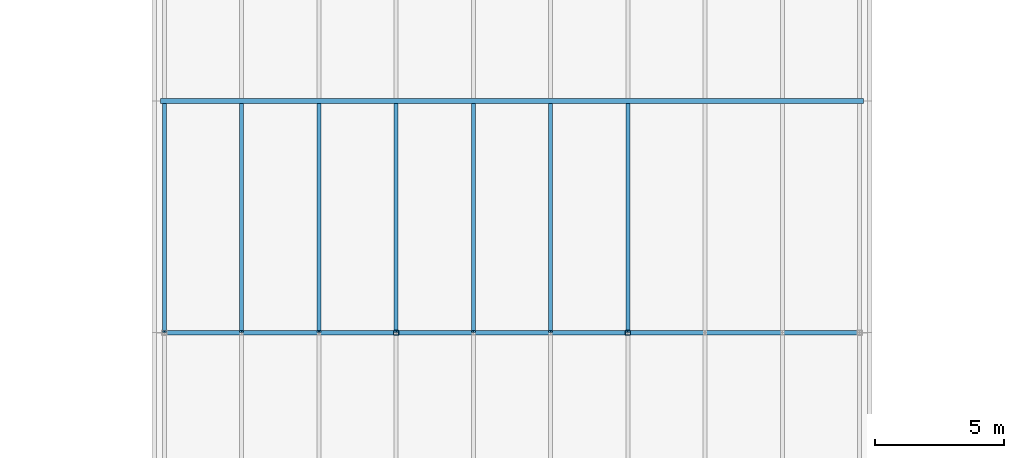
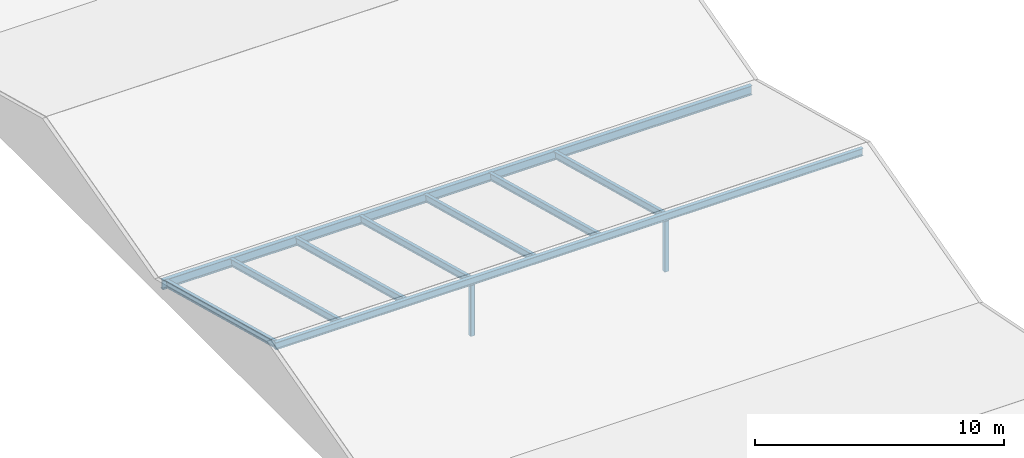
# One storey, part 8 of 29: 9 members, 2 beams.
"""IFC4 building model written with IfcOpenShell, lengths in metres."""

from ifc_helpers import new_model, si_unit, direction, frame, origin, origin_2d, place, context, subcontext, project, spatial, hollow_rectangle, i_section, extrude, material, material_profile, profile_set, type_object, element, save


model = new_model("IFC4")

# Units and contexts
model_context = context("Model", 3, precision=1e-05, world=origin(), true_north=direction((0.0, 1.0)))
body_context = subcontext(model_context, "Body", "Model", "MODEL_VIEW")
ifc_project = project(units=[si_unit("LENGTHUNIT", "METRE"), si_unit("AREAUNIT", "SQUARE_METRE"), si_unit("VOLUMEUNIT", "CUBIC_METRE"), si_unit("PLANEANGLEUNIT", "RADIAN"), si_unit("MASSUNIT", "GRAM", prefix="KILO")], contexts=[model_context])

# Site, building, storey
site_placement = place(None, origin())
site = spatial("IfcSite", under=ifc_project, at=site_placement, CompositionType="ELEMENT")
building_placement = place(site_placement, origin())
building = spatial("IfcBuilding", under=site, at=building_placement, Name="Azimuth Sports and Learning Centre", CompositionType="ELEMENT")
storey_placement = place(building_placement, frame((0.0, 0.0, 27.0)))
storey = spatial("IfcBuildingStorey", under=building, at=storey_placement, Name="L05", CompositionType="ELEMENT", Elevation=27.0)

# Beams
ifc_material_1 = material(Name="Steel S355", Category="steel")
ifc_material_profile_1 = material_profile(ifc_material_1, i_section(OverallWidth=0.169921875, OverallDepth=0.360107421875, WebThickness=0.008056640625, FlangeThickness=0.0126953125, FilletRadius=0.01806640625, at=origin_2d()), Name="IPE 360")
ifc_profile_set_1 = profile_set([ifc_material_profile_1], Name="Steel S355")
beam_type_1 = type_object("IfcBeamType", Name="Beam IPE 360", PredefinedType="BEAM", material=ifc_profile_set_1)
beam_1_placement = place(storey_placement, frame((71.89990234375, 36.0, 2.664794921875), z_axis=(1.0, 0.0, 0.0), x_axis=(0.0, 1.0, 0.0)))
element("IfcBeam", 1, at=beam_1_placement, inside=storey, type_object=beam_type_1, Name="Beam L05 RF 5", PredefinedType="BEAM", context=body_context, shape_type="SweptSolid", body=[
    extrude(i_section(OverallWidth=0.169921875, OverallDepth=0.360107421875, WebThickness=0.008056640625, FlangeThickness=0.0126953125, FilletRadius=0.01806640625, at=origin_2d()), origin(), (0.0, 0.0, 1.0), 27.2001953125),
])
ifc_material_2 = material(Name="Steel S355", Category="steel")
ifc_material_profile_2 = material_profile(ifc_material_2, i_section(OverallWidth=0.18994140625, OverallDepth=0.449951171875, WebThickness=0.009521484375, FlangeThickness=0.0146484375, FilletRadius=0.02099609375, at=origin_2d()), Name="IPE 450")
ifc_profile_set_2 = profile_set([ifc_material_profile_2], Name="Steel S355")
beam_type_2 = type_object("IfcBeamType", Name="Beam IPE 450", PredefinedType="BEAM", material=ifc_profile_set_2)
beam_2_placement = place(storey_placement, frame((71.85009765625, 45.0, 0.2197265625), z_axis=(1.0, 0.0, 0.0), x_axis=(0.0, 1.0, 0.0)))
element("IfcBeam", 2, at=beam_2_placement, inside=storey, type_object=beam_type_2, Name="Beam L05 RF 6", PredefinedType="BEAM", context=body_context, shape_type="SweptSolid", body=[
    extrude(i_section(OverallWidth=0.18994140625, OverallDepth=0.449951171875, WebThickness=0.009521484375, FlangeThickness=0.0146484375, FilletRadius=0.02099609375, at=origin_2d()), origin(), (0.0, 0.0, 1.0), 27.2998046875),
])

# Members
ifc_material_3 = material(Name="Steel S355", Category="steel")
ifc_material_profile_3 = material_profile(ifc_material_3, i_section(OverallWidth=0.159912109375, OverallDepth=0.330078125, WebThickness=0.007568359375, FlangeThickness=0.011474609375, FilletRadius=0.01806640625, at=origin_2d()), Name="IPE 330")
ifc_profile_set_3 = profile_set([ifc_material_profile_3], Name="Steel S355")
member_type_1 = type_object("IfcMemberType", Name="Rafter IPE 330", PredefinedType="RAFTER", material=ifc_profile_set_3)
for number, where, z_axis, x_axis, name in (
    (3, (72.0, 36.04248046875, 2.66259765625), (0.0, 0.966234051779, -0.257665979872), (-1.0, 0.0, 0.0), "Rafter FOLD05 41"),
    (4, (75.0, 36.04248046875, 2.66259765625), (0.0, 0.966234051779, -0.257665979872), (-1.0, 0.0, 0.0), "Rafter FOLD05 42"),
    (5, (78.0, 36.04248046875, 2.66259765625), (0.0, 0.966234051779, -0.257665979872), (-1.0, 0.0, 0.0), "Rafter FOLD05 43"),
    (6, (81.0, 36.04248046875, 2.66259765625), (0.0, 0.966234051779, -0.257665979872), (-1.0, 0.0, 0.0), "Rafter FOLD05 44"),
    (7, (84.0, 36.04248046875, 2.66259765625), (0.0, 0.966234051779, -0.257665979872), (-1.0, 0.0, 0.0), "Rafter FOLD05 45"),
    (8, (87.0, 36.04248046875, 2.66259765625), (0.0, 0.966234051779, -0.257665979872), (-1.0, 0.0, 0.0), "Rafter FOLD05 46"),
    (9, (90.0, 36.04248046875, 2.66259765625), (0.0, 0.966234051779, -0.257665979872), (-1.0, 0.0, 0.0), "Rafter FOLD05 47"),
):
    element("IfcMember", number, at=place(storey_placement, frame(where, z_axis=z_axis, x_axis=x_axis)), inside=storey, type_object=member_type_1, Name=name, PredefinedType="RAFTER", context=body_context, shape_type="SweptSolid", body=[
        extrude(i_section(OverallWidth=0.159912109375, OverallDepth=0.330078125, WebThickness=0.007568359375, FlangeThickness=0.011474609375, FilletRadius=0.01806640625, at=origin_2d()), origin(), (0.0, 0.0, 1.0), 9.128173828125),
    ])
ifc_material_4 = material(Name="Steel S355", Category="steel")
ifc_material_profile_4 = material_profile(ifc_material_4, hollow_rectangle(XDim=0.199951171875, YDim=0.199951171875, WallThickness=0.010009765625, InnerFilletRadius=0.010009765625, OuterFilletRadius=0.014892578125, at=origin_2d()), Name="SHS 200x200x10.0")
ifc_profile_set_4 = profile_set([ifc_material_profile_4], Name="Steel S355")
member_type_2 = type_object("IfcMemberType", Name="Truss post SHS 200x200x10.0", PredefinedType="POST", material=ifc_profile_set_4)
for number, where, z_axis, x_axis, name in (
    (10, (81.0, 36.0, 0.0), (0.0, 0.0, 1.0), (1.0, 0.0, 0.0), "Ridge post 10E"),
    (11, (90.0, 36.0, 0.0), (0.0, 0.0, 1.0), (1.0, 0.0, 0.0), "Ridge post 11E"),
):
    element("IfcMember", number, at=place(storey_placement, frame(where, z_axis=z_axis, x_axis=x_axis)), inside=storey, type_object=member_type_2, Name=name, PredefinedType="POST", context=body_context, shape_type="SweptSolid", body=[
        extrude(hollow_rectangle(XDim=0.199951171875, YDim=0.199951171875, WallThickness=0.010009765625, InnerFilletRadius=0.010009765625, OuterFilletRadius=0.014892578125, at=origin_2d()), origin(), (0.0, 0.0, 1.0), 2.48486328125),
    ])

save(model, "model.ifc")
